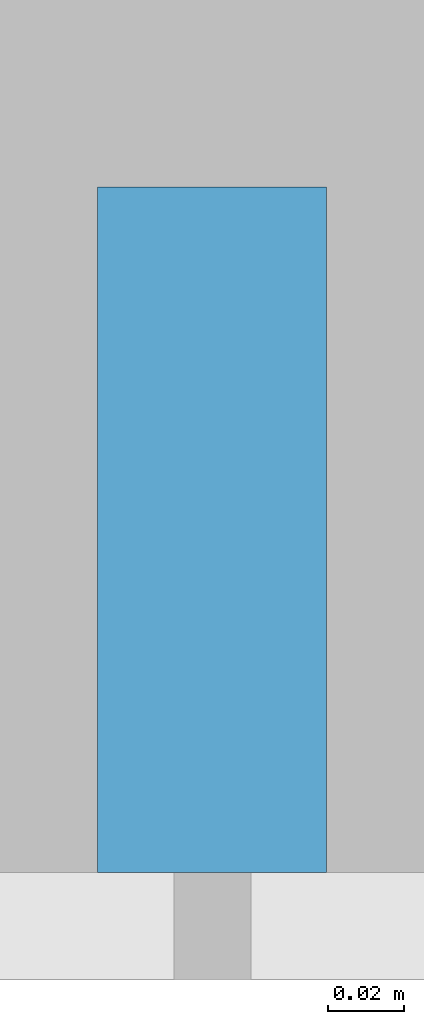
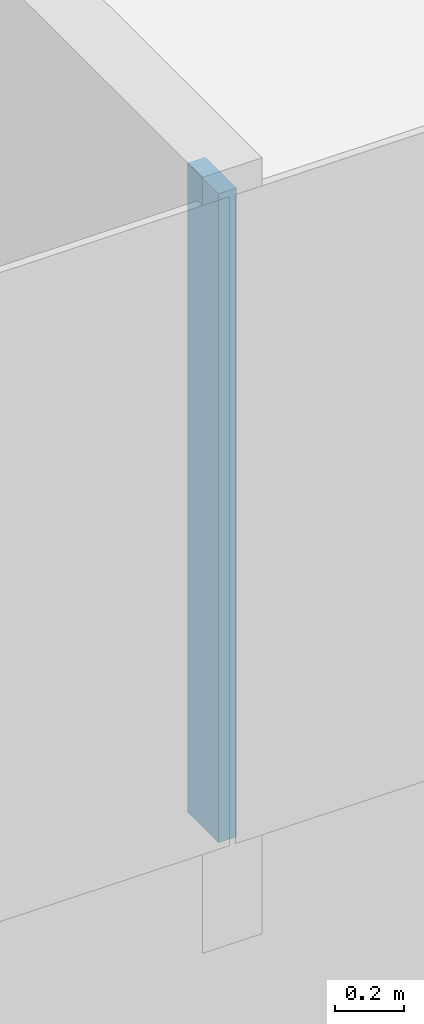
# One storey, part 5 of 27: 1 member, 1 element without a shape of its own.
"""IFC4 building model written with IfcOpenShell, lengths in metres."""

import ifcopenshell
import ifcopenshell.guid

model = None  # the IFC model being written
_history = None  # IfcOwnerHistory: only IFC2X3 demands one
_inside = {}  # id of a spatial element -> (the spatial element, [elements in it])
_under = {}  # id of a project, library or spatial element -> (it, [spatial elements below it])
_declared = {}  # id of a project -> (the project, [libraries it declares])
_typed = {}  # id of a type object -> (the type object, [elements of that type])
_made_of = {}  # id of a material, layer set ... -> (it, [elements and type objects made of it])


def new_model(schema):
    """Start an empty IFC model of exactly this schema.

    Asked for "IFC4X3", IfcOpenShell would pick the latest addendum, in which some entities
    have other attributes; the version numbers below select the first issue.
    IFC2X3 requires an IfcOwnerHistory on every rooted entity: one is made here for all.
    """
    global model, _history
    if schema == "IFC4X3":
        model = ifcopenshell.file(schema_version=(4, 3, 0, 0))
    else:
        model = ifcopenshell.file(schema=schema)
    _inside.clear()
    _under.clear()
    _declared.clear()
    _typed.clear()
    _made_of.clear()
    _history = None
    if model.schema == "IFC2X3":
        org = make("IfcOrganization", Name="unknown")
        user = make(
            "IfcPersonAndOrganization",
            ThePerson=make("IfcPerson", FamilyName="unknown"),
            TheOrganization=org,
        )
        app = make(
            "IfcApplication",
            ApplicationDeveloper=org,
            Version="unknown",
            ApplicationFullName="unknown",
            ApplicationIdentifier="unknown",
        )
        _history = make(
            "IfcOwnerHistory",
            OwningUser=user,
            OwningApplication=app,
            ChangeAction="ADDED",
            CreationDate=0,
        )
    return model


def make(cls, **values):
    """One entity of the class cls with the attributes given. An attribute that is None is left unset."""
    return model.create_entity(
        cls, **{name: value for name, value in values.items() if value is not None}
    )


def rooted(cls, **values):
    """An entity with a GlobalId (a new one), such as an element, a storey or a relation."""
    return make(cls, GlobalId=ifcopenshell.guid.new(), OwnerHistory=_history, **values)


def si_unit(unit_type, name, prefix=None):
    """IfcSIUnit, for example si_unit("LENGTHUNIT", "METRE", prefix="MILLI")."""
    return make("IfcSIUnit", UnitType=unit_type, Prefix=prefix, Name=name)


def assignment(units):
    """IfcUnitAssignment: the units of a project."""
    return None if units is None else make("IfcUnitAssignment", Units=units)


def point(xyz):
    """IfcCartesianPoint."""
    return None if xyz is None else make("IfcCartesianPoint", Coordinates=xyz)


def direction(xyz):
    """IfcDirection."""
    return None if xyz is None else make("IfcDirection", DirectionRatios=xyz)


def frame(location, z_axis=None, x_axis=None):
    """IfcAxis2Placement3D, a coordinate frame: its origin and axes. An axis left out is left unset."""
    return make(
        "IfcAxis2Placement3D",
        Location=point(location),
        Axis=direction(z_axis),
        RefDirection=direction(x_axis),
    )


def frame_2d(location, x_axis=None):
    """IfcAxis2Placement2D, a coordinate frame in the plane: its origin and x axis."""
    return make(
        "IfcAxis2Placement2D", Location=point(location), RefDirection=direction(x_axis)
    )


def origin():
    """The frame at (0, 0, 0) with its axes left unset."""
    return frame((0.0, 0.0, 0.0))


def origin_2d():
    """The frame at (0, 0) in the plane with its x axis left unset."""
    return frame_2d((0.0, 0.0))


def place(relative_to, where):
    """IfcLocalPlacement: puts the frame where relative to a parent placement (None: the world)."""
    return make(
        "IfcLocalPlacement", PlacementRelTo=relative_to, RelativePlacement=where
    )


def context(
    kind, dimensions, precision=None, world=None, true_north=None, identifier=None
):
    """IfcGeometricRepresentationContext, for example the 3D "Model" context."""
    return make(
        "IfcGeometricRepresentationContext",
        ContextIdentifier=identifier,
        ContextType=kind,
        CoordinateSpaceDimension=dimensions,
        Precision=precision,
        WorldCoordinateSystem=world,
        TrueNorth=true_north,
    )


def subcontext(parent, identifier, kind, view, scale=None):
    """IfcGeometricRepresentationSubContext, for example "Body" below "Model"."""
    return make(
        "IfcGeometricRepresentationSubContext",
        ContextIdentifier=identifier,
        ContextType=kind,
        ParentContext=parent,
        TargetScale=scale,
        TargetView=view,
    )


def project(units=None, contexts=None):
    """IfcProject with its units and contexts."""
    return rooted(
        "IfcProject",
        Name="project",
        RepresentationContexts=contexts,
        UnitsInContext=assignment(units),
    )


def spatial(cls, under=None, at=None, **own):
    """A site, building, storey or space (cls), placed at a placement, below another one or the project."""
    s = rooted(cls, ObjectPlacement=at, **own)
    if under is not None:
        _under.setdefault(under.id(), (under, []))[1].append(s)
    return s


def profile(cls, at=None, kind="AREA", **sizes):
    """A parametric profile (cls). Its sizes go by their IFC names, for example OverallWidth=200.0."""
    return make(cls, ProfileType=kind, Position=at, **sizes)


def rectangle(**sizes):
    """IfcRectangleProfileDef."""
    return profile("IfcRectangleProfileDef", **sizes)


def extrude(swept, where, along, depth):
    """IfcExtrudedAreaSolid: the profile swept, set in the frame where, extruded along a direction by depth."""
    return make(
        "IfcExtrudedAreaSolid",
        SweptArea=swept,
        Position=where,
        ExtrudedDirection=direction(along),
        Depth=depth,
    )


def shape(context_of_items, identifier, shape_type, items):
    """IfcShapeRepresentation: the items that make up one representation, for example the "Body"."""
    return make(
        "IfcShapeRepresentation",
        ContextOfItems=context_of_items,
        RepresentationIdentifier=identifier,
        RepresentationType=shape_type,
        Items=items,
    )


def material(Name=None, Category=None):
    """IfcMaterial."""
    return make("IfcMaterial", Name=Name, Category=Category)


def layer(
    of_material, thickness, ventilated=None, Name=None, Category=None, Priority=None
):
    """IfcMaterialLayer: one layer of a wall or slab, of a material (None: an air gap)."""
    return make(
        "IfcMaterialLayer",
        Material=of_material,
        LayerThickness=thickness,
        IsVentilated=ventilated,
        Name=Name,
        Category=Category,
        Priority=Priority,
    )


def layer_set(layers, Name=None):
    """IfcMaterialLayerSet."""
    return make("IfcMaterialLayerSet", MaterialLayers=layers, LayerSetName=Name)


def material_profile(
    of_material, cross_section, Name=None, Category=None, Priority=None
):
    """IfcMaterialProfile: a cross section and its material."""
    return make(
        "IfcMaterialProfile",
        Name=Name,
        Material=of_material,
        Profile=cross_section,
        Priority=Priority,
        Category=Category,
    )


def profile_set(profiles, Name=None, composite=None):
    """IfcMaterialProfileSet."""
    return make(
        "IfcMaterialProfileSet",
        Name=Name,
        MaterialProfiles=profiles,
        CompositeProfile=composite,
    )


def made_of(thing, what):
    """Note that an element or type object is made of a material, layer set ...; save() writes the relation."""
    if what is not None:
        _made_of.setdefault(what.id(), (what, []))[1].append(thing)
    return thing


def type_object(cls, material=None, **own):
    """A type object (cls), such as IfcWallType, which elements share."""
    return made_of(rooted(cls, **own), material)


def element(
    cls,
    number,
    at=None,
    inside=None,
    cuts=None,
    type_object=None,
    material=None,
    context=None,
    identifier="Body",
    shape_type=None,
    held_by="IfcProductDefinitionShape",
    body=None,
    shapes=None,
    **own,
):
    """One element of the class cls, such as IfcWall. Its Tag is "e" and its number.

    at: its placement. inside: the storey or other place that contains it. cuts: it is an
    opening in that element (IfcRelVoidsElement). A single representation is given by context,
    identifier, shape_type and body (its items); several are given by shapes. held_by: the class
    of the entity that holds the representations. save() writes the other relations.
    """
    e = rooted(cls, Tag="e%d" % number, ObjectPlacement=at, **own)
    if body is not None:
        shapes = [shape(context, identifier, shape_type, body)]
    if shapes is not None:
        e.Representation = make(held_by, Representations=shapes)
    if inside is not None:
        _inside.setdefault(inside.id(), (inside, []))[1].append(e)
    if cuts is not None:
        rooted(
            "IfcRelVoidsElement", RelatingBuildingElement=cuts, RelatedOpeningElement=e
        )
    if type_object is not None:
        _typed.setdefault(type_object.id(), (type_object, []))[1].append(e)
    return made_of(e, material)


def aggregate(whole, parts):
    """IfcRelAggregates: a whole, such as a stair, and the parts it consists of."""
    return rooted("IfcRelAggregates", RelatingObject=whole, RelatedObjects=parts)


def save(model, path):
    """Write the relations noted so far, then the file.

    IfcRelAggregates (storeys below a building ...), IfcRelContainedInSpatialStructure (elements
    in a storey), IfcRelDefinesByType, IfcRelAssociatesMaterial and IfcRelDeclares: one each for
    every whole, place, type object, material and project.
    """
    for whole, parts in _under.values():
        aggregate(whole, parts)
    for where, things in _inside.values():
        rooted(
            "IfcRelContainedInSpatialStructure",
            RelatedElements=things,
            RelatingStructure=where,
        )
    for kind, things in _typed.values():
        rooted("IfcRelDefinesByType", RelatedObjects=things, RelatingType=kind)
    for what, things in _made_of.values():
        rooted("IfcRelAssociatesMaterial", RelatedObjects=things, RelatingMaterial=what)
    for by, libraries in _declared.values():
        rooted("IfcRelDeclares", RelatingContext=by, RelatedDefinitions=libraries)
    model.write(path)


model = new_model("IFC4")

# Units and contexts
model_context = context("Model", 3, precision=1e-05, world=origin(), true_north=direction((0.0, 1.0)))
body_context = subcontext(model_context, "Body", "Model", "MODEL_VIEW")
ifc_project = project(units=[si_unit("LENGTHUNIT", "METRE"), si_unit("AREAUNIT", "SQUARE_METRE"), si_unit("VOLUMEUNIT", "CUBIC_METRE"), si_unit("PLANEANGLEUNIT", "RADIAN"), si_unit("MASSUNIT", "GRAM", prefix="KILO")], contexts=[model_context])

# Site, building, storey
site_placement = place(None, origin())
site = spatial("IfcSite", under=ifc_project, at=site_placement, CompositionType="ELEMENT")
building_placement = place(site_placement, origin())
building = spatial("IfcBuilding", under=site, at=building_placement, Name="Hakoniwa Tower and Hamabe Station Hall", CompositionType="ELEMENT")
storey_placement = place(building_placement, frame((0.0, 0.0, 166.199951171875)))
storey = spatial("IfcBuildingStorey", under=building, at=storey_placement, Name="L47", CompositionType="ELEMENT", Elevation=166.199951171875)

# Curtain wall, member
ifc_material_1 = material(Name="Dark low-e laminated glass", Category="glass")
ifc_layer = layer(ifc_material_1, 0.199951171875)
ifc_layer_set = layer_set([ifc_layer], Name="CW-1 UNITISED GUEST")
curtain_wall_type = type_object("IfcCurtainWallType", Name="CW-1 UNITISED GUEST", PredefinedType="NOTDEFINED", material=ifc_layer_set)
curtain_wall_placement = place(storey_placement, origin())
curtain_wall = element("IfcCurtainWall", 1, at=curtain_wall_placement, inside=storey, type_object=curtain_wall_type, Name="CW-1 curtain wall", PredefinedType="NOTDEFINED")
ifc_material_2 = material(Name="Aluminium 6063-T5 black anodised", Category="aluminium")
ifc_material_profile = material_profile(ifc_material_2, rectangle(XDim=0.06005859375, YDim=0.179931640625, at=origin_2d()), Name="CW-1 MULLION 60X180")
ifc_profile_set = profile_set([ifc_material_profile], Name="Aluminium 6063-T5 black anodised")
member_type = type_object("IfcMemberType", Name="CW-1 MULLION 60X180", PredefinedType="MULLION", material=ifc_profile_set)
member_placement = place(storey_placement, frame((8.39990234375, -19.181884765625, 0.35009765625), z_axis=(0.0, 0.0, 1.0), x_axis=(1.0, 0.0, 0.0)))
member = element("IfcMember", 2, at=member_placement, type_object=member_type, Name="CW-1 mullion", PredefinedType="MULLION", context=body_context, shape_type="SweptSolid", body=[
    extrude(rectangle(XDim=0.06005859375, YDim=0.179931640625, at=origin_2d()), origin(), (0.0, 0.0, 1.0), 2.300048828125),
])
aggregate(curtain_wall, [member])

save(model, "model.ifc")
